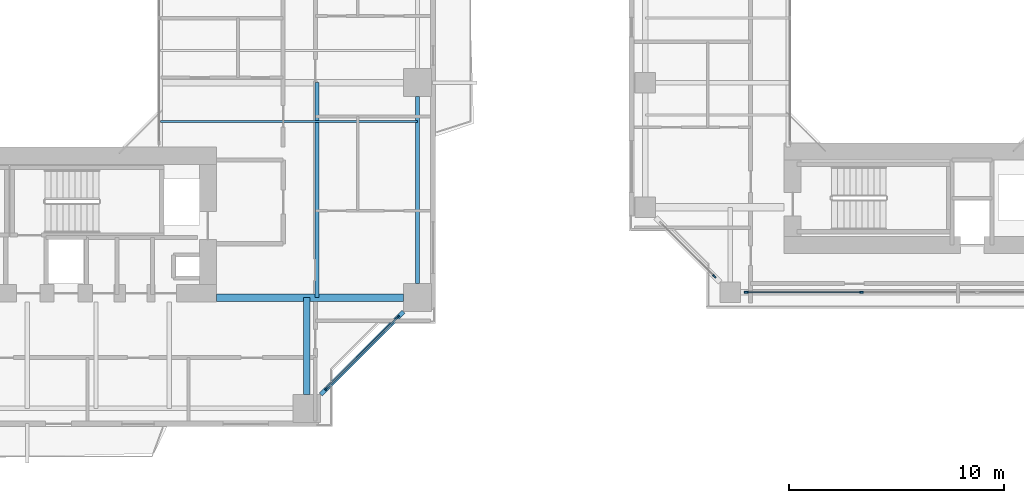
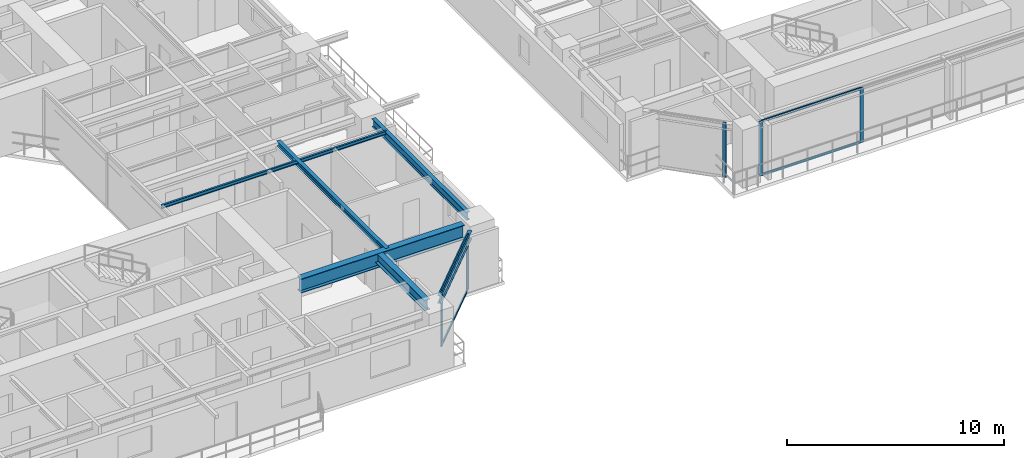
# One storey, part 5 of 22: 9 members, 6 beams, 3 elements without a shape of their own.
"""IFC4 building model written with IfcOpenShell, lengths in metres."""

from ifc_helpers import new_model, si_unit, direction, frame, origin, origin_2d, place, context, subcontext, project, spatial, rectangle, i_section, extrude, source, transform, mapped, material, layer, layer_set, material_profile, profile_set, type_object, element, aggregate, save


model = new_model("IFC4")

# Units and contexts
model_context = context("Model", 3, precision=1e-05, world=origin(), true_north=direction((0.0, 1.0)))
body_context = subcontext(model_context, "Body", "Model", "MODEL_VIEW")
ifc_project = project(units=[si_unit("LENGTHUNIT", "METRE"), si_unit("AREAUNIT", "SQUARE_METRE"), si_unit("VOLUMEUNIT", "CUBIC_METRE"), si_unit("PLANEANGLEUNIT", "RADIAN"), si_unit("MASSUNIT", "GRAM", prefix="KILO"), si_unit("THERMODYNAMICTEMPERATUREUNIT", "KELVIN"), si_unit("POWERUNIT", "WATT")], contexts=[model_context])

# Site, building, storey
site_placement = place(None, origin())
site = spatial("IfcSite", under=ifc_project, at=site_placement, CompositionType="ELEMENT")
building_placement = place(site_placement, origin())
building = spatial("IfcBuilding", under=site, at=building_placement, Name="Qiaomeng Ring Towers", CompositionType="ELEMENT")
storey_placement = place(building_placement, frame((0.0, 0.0, 53.5)))
storey = spatial("IfcBuildingStorey", under=building, at=storey_placement, Name="L14", CompositionType="ELEMENT", Elevation=53.5)

# Beams
ifc_material_1 = material(Name="Steel Q355B", Category="steel")
ifc_material_profile_1 = material_profile(ifc_material_1, i_section(OverallWidth=0.199951171875, OverallDepth=0.449951171875, WebThickness=0.009033203125, FlangeThickness=0.013916015625, FilletRadius=0.01806640625, at=origin_2d()), Name="HN 450x200x9x14")
ifc_profile_set_1 = profile_set([ifc_material_profile_1], Name="Steel Q355B")
beam_type_1 = type_object("IfcBeamType", Name="STR-BM-HN450", PredefinedType="SPANDREL", material=ifc_profile_set_1)
shared_shape_1 = source(origin(), body_context, "Body", "SweptSolid", [
    extrude(i_section(OverallWidth=0.199951171875, OverallDepth=0.449951171875, WebThickness=0.009033203125, FlangeThickness=0.013916015625, FilletRadius=0.01806640625, at=origin_2d()), origin(), (0.0, 0.0, 1.0), 5.446533203125),
])
beam_1_placement = place(storey_placement, frame((32.6494140625, 5.499267578125, 2.844970703125), z_axis=(0.707106781187, 0.707106781187, 0.0), x_axis=(-0.707106781187, 0.707106781187, 0.0)))
element("IfcBeam", 1, at=beam_1_placement, inside=storey, type_object=beam_type_1, Name="L14 beam STR-SP-L14-T1-S2-E1", PredefinedType="SPANDREL", context=body_context, shape_type="MappedRepresentation", body=[
    mapped(shared_shape_1, transform((0.0, 0.0, 0.0), x_axis=(1.0, 0.0, 0.0), y_axis=(0.0, 1.0, 0.0), z_axis=(0.0, 0.0, 1.0), scale=1.0)),
])
shared_shape_2 = source(origin(), body_context, "Body", "SweptSolid", [
    extrude(i_section(OverallWidth=0.199951171875, OverallDepth=0.449951171875, WebThickness=0.009033203125, FlangeThickness=0.013916015625, FilletRadius=0.01806640625, at=origin_2d()), origin(), (0.0, 0.0, 1.0), 8.7021484375),
])
beam_2_placement = place(storey_placement, frame((37.14990234375, 10.64892578125, 2.844970703125), z_axis=(0.0, 1.0, 0.0), x_axis=(-1.0, 0.0, 0.0)))
element("IfcBeam", 2, at=beam_2_placement, inside=storey, type_object=beam_type_1, Name="L14 beam STR-SP-L14-T1-E1-E2", PredefinedType="SPANDREL", context=body_context, shape_type="MappedRepresentation", body=[
    mapped(shared_shape_2, transform((0.0, 0.0, 0.0), x_axis=(1.0, 0.0, 0.0), y_axis=(0.0, 1.0, 0.0), z_axis=(0.0, 0.0, 1.0), scale=1.0)),
])
ifc_material_2 = material(Name="Steel Q390GJC", Category="steel")
ifc_material_profile_2 = material_profile(ifc_material_2, i_section(OverallWidth=0.35009765625, OverallDepth=0.800048828125, WebThickness=0.01611328125, FlangeThickness=0.028076171875, at=origin_2d()), Name="WH 800x350x16x28")
ifc_profile_set_2 = profile_set([ifc_material_profile_2], Name="Steel Q390GJC")
beam_type_2 = type_object("IfcBeamType", Name="STR-BM-WH800", PredefinedType="BEAM", material=ifc_profile_set_2)
shared_shape_3 = source(origin(), body_context, "Body", "SweptSolid", [
    extrude(i_section(OverallWidth=0.35009765625, OverallDepth=0.800048828125, WebThickness=0.01611328125, FlangeThickness=0.028076171875, at=origin_2d()), origin(), (0.0, 0.0, 1.0), 8.700927734375),
])
beam_3_placement = place(storey_placement, frame((27.800048828125, 10.0, 2.669921875), z_axis=(1.0, 0.0, 0.0), x_axis=(0.0, 1.0, 0.0)))
element("IfcBeam", 3, at=beam_3_placement, inside=storey, type_object=beam_type_2, Name="L14 beam STR-BM-L14-T1-RAD-E1", PredefinedType="BEAM", context=body_context, shape_type="MappedRepresentation", body=[
    mapped(shared_shape_3, transform((0.0, 0.0, 0.0), x_axis=(1.0, 0.0, 0.0), y_axis=(0.0, 1.0, 0.0), z_axis=(0.0, 0.0, 1.0), scale=1.0)),
])
ifc_material_profile_3 = material_profile(ifc_material_1, i_section(OverallWidth=0.300048828125, OverallDepth=0.587890625, WebThickness=0.011962890625, FlangeThickness=0.02001953125, FilletRadius=0.028076171875, at=origin_2d()), Name="HM 588x300x12x20")
ifc_profile_set_3 = profile_set([ifc_material_profile_3], Name="Steel Q355B")
beam_type_3 = type_object("IfcBeamType", Name="STR-BM-HM588", PredefinedType="BEAM", material=ifc_profile_set_3)
shared_shape_4 = source(origin(), body_context, "Body", "SweptSolid", [
    extrude(i_section(OverallWidth=0.300048828125, OverallDepth=0.587890625, WebThickness=0.011962890625, FlangeThickness=0.02001953125, FilletRadius=0.028076171875, at=origin_2d()), origin(), (0.0, 0.0, 1.0), 4.5009765625),
])
beam_4_placement = place(storey_placement, frame((32.0, 5.4990234375, 2.77587890625), z_axis=(0.0, 1.0, 0.0), x_axis=(-1.0, 0.0, 0.0)))
element("IfcBeam", 4, at=beam_4_placement, inside=storey, type_object=beam_type_3, Name="L14 beam STR-BM-L14-T1-RAD-S2", PredefinedType="BEAM", context=body_context, shape_type="MappedRepresentation", body=[
    mapped(shared_shape_4, transform((0.0, 0.0, 0.0), x_axis=(1.0, 0.0, 0.0), y_axis=(0.0, 1.0, 0.0), z_axis=(0.0, 0.0, 1.0), scale=1.0)),
])
ifc_material_profile_4 = material_profile(ifc_material_1, i_section(OverallWidth=0.10009765625, OverallDepth=0.199951171875, WebThickness=0.005615234375, FlangeThickness=0.008056640625, FilletRadius=0.010986328125, at=origin_2d()), Name="HN 200x100x5.5x8")
ifc_profile_set_4 = profile_set([ifc_material_profile_4], Name="Steel Q355B")
beam_type_4 = type_object("IfcBeamType", Name="STR-BM-HN200", PredefinedType="JOIST", material=ifc_profile_set_4)
shared_shape_5 = source(origin(), body_context, "Body", "SweptSolid", [
    extrude(i_section(OverallWidth=0.10009765625, OverallDepth=0.199951171875, WebThickness=0.005615234375, FlangeThickness=0.008056640625, FilletRadius=0.010986328125, at=origin_2d()), origin(), (0.0, 0.0, 1.0), 11.949951171875),
])
beam_5_placement = place(storey_placement, frame((25.199951171875, 18.199951171875, 2.969970703125), z_axis=(1.0, 0.0, 0.0), x_axis=(0.0, 1.0, 0.0)))
element("IfcBeam", 5, at=beam_5_placement, inside=storey, type_object=beam_type_4, Name="L14 beam STR-JST-L14-T1E-1", PredefinedType="JOIST", context=body_context, shape_type="MappedRepresentation", body=[
    mapped(shared_shape_5, transform((0.0, 0.0, 0.0), x_axis=(1.0, 0.0, 0.0), y_axis=(0.0, 1.0, 0.0), z_axis=(0.0, 0.0, 1.0), scale=1.0)),
])
ifc_material_profile_5 = material_profile(ifc_material_1, i_section(OverallWidth=0.199951171875, OverallDepth=0.2939453125, WebThickness=0.008056640625, FlangeThickness=0.011962890625, FilletRadius=0.01806640625, at=origin_2d()), Name="HM 294x200x8x12")
ifc_profile_set_5 = profile_set([ifc_material_profile_5], Name="Steel Q355B")
beam_type_5 = type_object("IfcBeamType", Name="STR-BM-HM294", PredefinedType="JOIST", material=ifc_profile_set_5)
shared_shape_6 = source(origin(), body_context, "Body", "SweptSolid", [
    extrude(i_section(OverallWidth=0.199951171875, OverallDepth=0.2939453125, WebThickness=0.008056640625, FlangeThickness=0.011962890625, FilletRadius=0.01806640625, at=origin_2d()), origin(), (0.0, 0.0, 1.0), 10.0),
])
beam_6_placement = place(storey_placement, frame((32.47509765625, 10.0, 2.923095703125), z_axis=(0.0, 1.0, 0.0), x_axis=(-1.0, 0.0, 0.0)))
element("IfcBeam", 6, at=beam_6_placement, inside=storey, type_object=beam_type_5, Name="L14 beam STR-JST-L14-T1C-ES", PredefinedType="JOIST", context=body_context, shape_type="MappedRepresentation", body=[
    mapped(shared_shape_6, transform((0.0, 0.0, 0.0), x_axis=(1.0, 0.0, 0.0), y_axis=(0.0, 1.0, 0.0), z_axis=(0.0, 0.0, 1.0), scale=1.0)),
])

# Curtain wall, members
ifc_material_3 = material(Name="Fluorocarbon dark-grey aluminium", Category="aluminium")
ifc_layer_1 = layer(ifc_material_3, 0.159912109375, Name="Fluorocarbon dark-grey aluminium")
ifc_layer_set_1 = layer_set([ifc_layer_1], Name="Fluorocarbon dark-grey aluminium")
curtain_wall_type_1 = type_object("IfcCurtainWallType", Name="ARC-CW-2", PredefinedType="NOTDEFINED", material=ifc_layer_set_1)
curtain_wall_1_placement = place(storey_placement, origin())
curtain_wall_1 = element("IfcCurtainWall", 7, at=curtain_wall_1_placement, inside=storey, type_object=curtain_wall_type_1, Name="L14 Curtain Wall CW2", PredefinedType="NOTDEFINED")
ifc_material_profile_6 = material_profile(ifc_material_3, rectangle(XDim=0.070068359375, YDim=0.179931640625, at=origin_2d()), Name="ALU MULL 70x180")
ifc_profile_set_6 = profile_set([ifc_material_profile_6], Name="Fluorocarbon dark-grey aluminium")
member_type_1 = type_object("IfcMemberType", Name="ARC-CWM-160", PredefinedType="MULLION", material=ifc_profile_set_6)
shared_shape_7 = source(origin(), body_context, "Body", "SweptSolid", [
    extrude(rectangle(XDim=0.070068359375, YDim=0.179931640625, at=origin_2d()), origin(), (0.0, 0.0, 1.0), 3.070068359375),
])
member_1_placement = place(storey_placement, frame((32.914794921875, 5.7646484375, 0.0), z_axis=(0.0, 0.0, 1.0), x_axis=(-0.707106781187, 0.707106781187, 0.0)))
member_1 = element("IfcMember", 8, at=member_1_placement, type_object=member_type_1, Name="CW2 mullion 1", PredefinedType="MULLION", context=body_context, shape_type="MappedRepresentation", body=[
    mapped(shared_shape_7, transform((0.0, 0.0, 0.0), x_axis=(1.0, 0.0, 0.0), y_axis=(0.0, 1.0, 0.0), z_axis=(0.0, 0.0, 1.0), scale=1.0)),
])
member_2_placement = place(storey_placement, frame((36.2353515625, 9.085205078125, 0.0), z_axis=(0.0, 0.0, 1.0), x_axis=(-0.707106781187, 0.707106781187, 0.0)))
member_2 = element("IfcMember", 9, at=member_2_placement, type_object=member_type_1, Name="CW2 mullion 2", PredefinedType="MULLION", context=body_context, shape_type="MappedRepresentation", body=[
    mapped(shared_shape_7, transform((0.0, 0.0, 0.0), x_axis=(1.0, 0.0, 0.0), y_axis=(0.0, 1.0, 0.0), z_axis=(0.0, 0.0, 1.0), scale=1.0)),
])

# Curtain wall, member
ifc_layer_2 = layer(ifc_material_3, 0.14990234375, Name="Fluorocarbon dark-grey aluminium")
ifc_layer_set_2 = layer_set([ifc_layer_2], Name="Fluorocarbon dark-grey aluminium")
curtain_wall_type_2 = type_object("IfcCurtainWallType", Name="ARC-CW-5", PredefinedType="NOTDEFINED", material=ifc_layer_set_2)
curtain_wall_2_placement = place(storey_placement, origin())
curtain_wall_2 = element("IfcCurtainWall", 10, at=curtain_wall_2_placement, inside=storey, type_object=curtain_wall_type_2, Name="L14 Curtain Wall CW5", PredefinedType="NOTDEFINED")
member_3_placement = place(storey_placement, frame((50.960205078125, 10.98974609375, 0.0), z_axis=(0.0, 0.0, 1.0), x_axis=(0.707106781187, 0.707106781187, 0.0)))
member_3 = element("IfcMember", 11, at=member_3_placement, type_object=member_type_1, Name="CW5 mullion 2", PredefinedType="MULLION", context=body_context, shape_type="MappedRepresentation", body=[
    mapped(shared_shape_7, transform((0.0, 0.0, 0.0), x_axis=(1.0, 0.0, 0.0), y_axis=(0.0, 1.0, 0.0), z_axis=(0.0, 0.0, 1.0), scale=1.0)),
])
aggregate(curtain_wall_2, [member_3])

# Curtain wall, members
curtain_wall_3_placement = place(storey_placement, origin())
curtain_wall_3 = element("IfcCurtainWall", 12, at=curtain_wall_3_placement, inside=storey, type_object=curtain_wall_type_2, Name="L14 Curtain Wall CW5", PredefinedType="NOTDEFINED")
member_4_placement = place(storey_placement, frame((52.449951171875, 10.25, 0.0), z_axis=(0.0, 0.0, 1.0), x_axis=(0.0, 1.0, 0.0)))
member_4 = element("IfcMember", 13, at=member_4_placement, type_object=member_type_1, Name="CW5 mullion 1", PredefinedType="MULLION", context=body_context, shape_type="MappedRepresentation", body=[
    mapped(shared_shape_7, transform((0.0, 0.0, 0.0), x_axis=(1.0, 0.0, 0.0), y_axis=(0.0, 1.0, 0.0), z_axis=(0.0, 0.0, 1.0), scale=1.0)),
])
member_5_placement = place(storey_placement, frame((57.804931640625, 10.25, 0.0), z_axis=(0.0, 0.0, 1.0), x_axis=(0.0, 1.0, 0.0)))
member_5 = element("IfcMember", 14, at=member_5_placement, type_object=member_type_1, Name="CW5 mullion 2", PredefinedType="MULLION", context=body_context, shape_type="MappedRepresentation", body=[
    mapped(shared_shape_7, transform((0.0, 0.0, 0.0), x_axis=(1.0, 0.0, 0.0), y_axis=(0.0, 1.0, 0.0), z_axis=(0.0, 0.0, 1.0), scale=1.0)),
])

# Member
ifc_material_profile_7 = material_profile(ifc_material_3, rectangle(XDim=0.06494140625, YDim=0.1298828125, at=origin_2d()), Name="ALU TRAN 65x130")
ifc_profile_set_7 = profile_set([ifc_material_profile_7], Name="Fluorocarbon dark-grey aluminium")
member_type_2 = type_object("IfcMemberType", Name="ARC-CWT-120", PredefinedType="USERDEFINED", material=ifc_profile_set_7)
shared_shape_8 = source(origin(), body_context, "Body", "SweptSolid", [
    extrude(rectangle(XDim=0.06494140625, YDim=0.1298828125, at=origin_2d()), origin(), (0.0, 0.0, 1.0), 4.6259765625),
])
member_6_placement = place(storey_placement, frame((32.939453125, 5.78955078125, 0.032470703125), z_axis=(0.707106781187, 0.707106781187, 0.0), x_axis=(-0.707106781187, 0.707106781187, 0.0)))
member_6 = element("IfcMember", 15, at=member_6_placement, type_object=member_type_2, Name="CW2 transom 1.1", ObjectType="TRANSOM", PredefinedType="USERDEFINED", context=body_context, shape_type="MappedRepresentation", body=[
    mapped(shared_shape_8, transform((0.0, 0.0, 0.0), x_axis=(1.0, 0.0, 0.0), y_axis=(0.0, 1.0, 0.0), z_axis=(0.0, 0.0, 1.0), scale=1.0)),
])

member_7_placement = place(storey_placement, frame((32.939453125, 5.78955078125, 3.03759765625), z_axis=(0.707106781187, 0.707106781187, 0.0), x_axis=(-0.707106781187, 0.707106781187, 0.0)))
member_7 = element("IfcMember", 16, at=member_7_placement, type_object=member_type_2, Name="CW2 transom 1.2", ObjectType="TRANSOM", PredefinedType="USERDEFINED", context=body_context, shape_type="MappedRepresentation", body=[
    mapped(shared_shape_8, transform((0.0, 0.0, 0.0), x_axis=(1.0, 0.0, 0.0), y_axis=(0.0, 1.0, 0.0), z_axis=(0.0, 0.0, 1.0), scale=1.0)),
])

aggregate(curtain_wall_1, [member_1, member_2, member_6, member_7])

shared_shape_9 = source(origin(), body_context, "Body", "SweptSolid", [
    extrude(rectangle(XDim=0.06494140625, YDim=0.1298828125, at=origin_2d()), origin(), (0.0, 0.0, 1.0), 5.284912109375),
])
member_8_placement = place(storey_placement, frame((52.485107421875, 10.25, 0.032470703125), z_axis=(1.0, 0.0, 0.0), x_axis=(0.0, 1.0, 0.0)))
member_8 = element("IfcMember", 17, at=member_8_placement, type_object=member_type_2, Name="CW5 transom 1.1", ObjectType="TRANSOM", PredefinedType="USERDEFINED", context=body_context, shape_type="MappedRepresentation", body=[
    mapped(shared_shape_9, transform((0.0, 0.0, 0.0), x_axis=(1.0, 0.0, 0.0), y_axis=(0.0, 1.0, 0.0), z_axis=(0.0, 0.0, 1.0), scale=1.0)),
])

member_9_placement = place(storey_placement, frame((52.485107421875, 10.25, 3.03759765625), z_axis=(1.0, 0.0, 0.0), x_axis=(0.0, 1.0, 0.0)))
member_9 = element("IfcMember", 18, at=member_9_placement, type_object=member_type_2, Name="CW5 transom 1.2", ObjectType="TRANSOM", PredefinedType="USERDEFINED", context=body_context, shape_type="MappedRepresentation", body=[
    mapped(shared_shape_9, transform((0.0, 0.0, 0.0), x_axis=(1.0, 0.0, 0.0), y_axis=(0.0, 1.0, 0.0), z_axis=(0.0, 0.0, 1.0), scale=1.0)),
])

aggregate(curtain_wall_3, [member_4, member_5, member_8, member_9])

save(model, "model.ifc")
